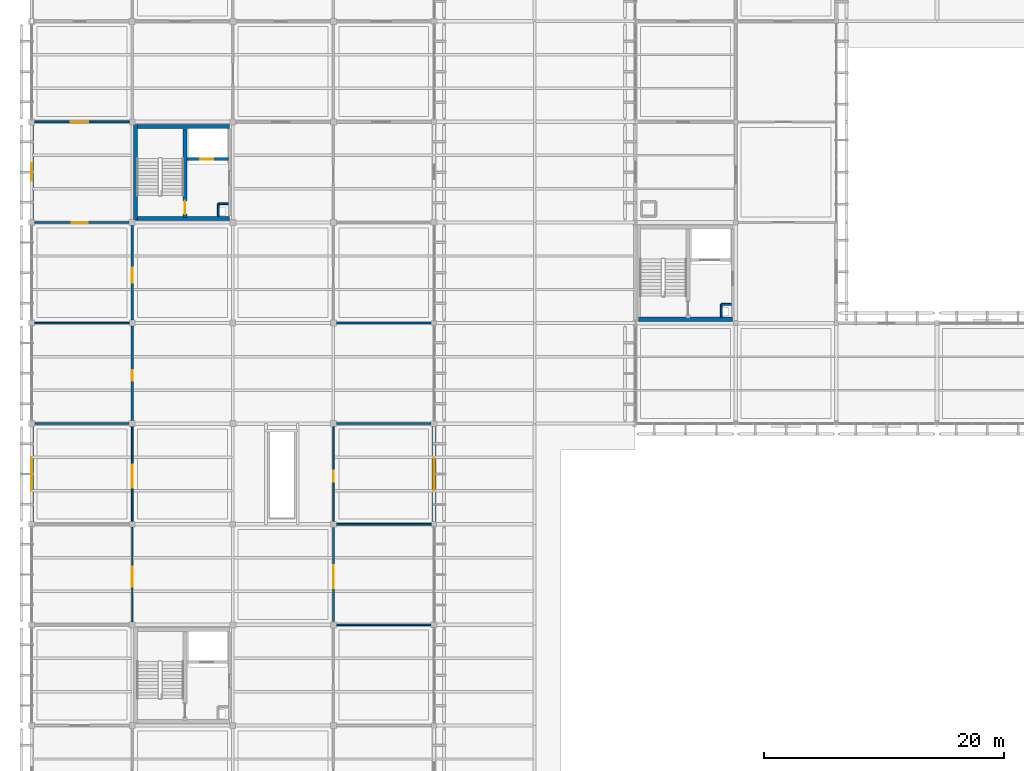
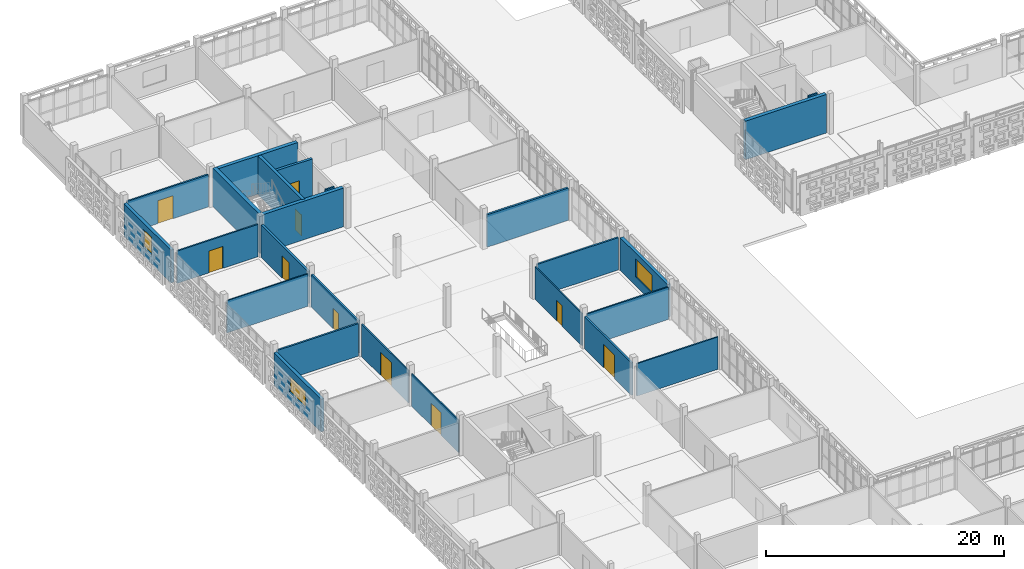
# One storey, part 99 of 166: 27 walls, 10 doors, 3 windows, 13 openings.
"""IFC4 building model written with IfcOpenShell, lengths in metres."""

from ifc_helpers import new_model, si_unit, direction, frame, frame_2d, origin, place, context, subcontext, project, spatial, rectangle, extrude, material, layer, layer_set, type_object, element, fill, save


model = new_model("IFC4")

# Units and contexts
model_context = context("Model", 3, precision=1e-05, world=origin(), true_north=direction((0.0, 1.0)))
body_context = subcontext(model_context, "Body", "Model", "MODEL_VIEW")
ifc_project = project(units=[si_unit("LENGTHUNIT", "METRE"), si_unit("AREAUNIT", "SQUARE_METRE"), si_unit("VOLUMEUNIT", "CUBIC_METRE"), si_unit("PLANEANGLEUNIT", "RADIAN"), si_unit("MASSUNIT", "GRAM", prefix="KILO")], contexts=[model_context])

# Site, building, storey
site_placement = place(None, origin())
site = spatial("IfcSite", under=ifc_project, at=site_placement, CompositionType="ELEMENT")
building_placement = place(site_placement, origin())
building = spatial("IfcBuilding", under=site, at=building_placement, Name="Varnapada Polytechnic", CompositionType="ELEMENT")
storey_placement = place(building_placement, frame((0.0, 0.0, 9.60009765625)))
storey = spatial("IfcBuildingStorey", under=building, at=storey_placement, Name="L02", CompositionType="ELEMENT", Elevation=9.60009765625)

# Walls
ifc_material_1 = material(Name="Autoclaved Aerated Concrete Block AAC-600", Category="concrete")
ifc_layer_1 = layer(ifc_material_1, 0.14990234375)
ifc_layer_set_1 = layer_set([ifc_layer_1], Name="Autoclaved Aerated Concrete Block AAC-600")
wall_type_1 = type_object("IfcWallType", Name="Interior Wall IW-02", PredefinedType="PARTITIONING", material=ifc_layer_set_1)
wall_1_placement = place(storey_placement, frame((15.580078125, 102.360107421875, 0.0), z_axis=(0.0, 0.0, 1.0), x_axis=(0.0, -1.0, 0.0)))
element("IfcWall", 1, at=wall_1_placement, inside=storey, type_object=wall_type_1, Name="L02 C1 riser shaft west wall", PredefinedType="PARTITIONING", context=body_context, shape_type="SweptSolid", body=[
    extrude(rectangle(XDim=1.06005859375, YDim=0.14990234375, at=frame_2d((0.530029296875, 0.0))), origin(), (0.0, 0.0, 1.0), 3.31982421875),
])
wall_2_placement = place(storey_placement, frame((15.580078125, 102.360107421875, 0.0), z_axis=(0.0, 0.0, 1.0), x_axis=(1.0, 0.0, 0.0)))
element("IfcWall", 2, at=wall_2_placement, inside=storey, type_object=wall_type_1, Name="L02 C1 riser shaft north wall", PredefinedType="PARTITIONING", context=body_context, shape_type="SweptSolid", body=[
    extrude(rectangle(XDim=0.85986328125, YDim=0.14990234375, at=frame_2d((0.429931640625, 0.0))), origin(), (0.0, 0.0, 1.0), 3.31982421875),
])
wall_3_placement = place(storey_placement, frame((57.580078125, 93.9599609375, 0.0), z_axis=(0.0, 0.0, 1.0), x_axis=(0.0, -1.0, 0.0)))
element("IfcWall", 3, at=wall_3_placement, inside=storey, type_object=wall_type_1, Name="L02 C4 riser shaft west wall", PredefinedType="PARTITIONING", context=body_context, shape_type="SweptSolid", body=[
    extrude(rectangle(XDim=1.06005859375, YDim=0.14990234375, at=frame_2d((0.530029296875, 0.0))), origin(), (0.0, 0.0, 1.0), 3.31982421875),
])
wall_4_placement = place(storey_placement, frame((57.580078125, 93.9599609375, 0.0), z_axis=(0.0, 0.0, 1.0), x_axis=(1.0, 0.0, 0.0)))
element("IfcWall", 4, at=wall_4_placement, inside=storey, type_object=wall_type_1, Name="L02 C4 riser shaft north wall", PredefinedType="PARTITIONING", context=body_context, shape_type="SweptSolid", body=[
    extrude(rectangle(XDim=0.85986328125, YDim=0.14990234375, at=frame_2d((0.429931640625, 0.0))), origin(), (0.0, 0.0, 1.0), 3.31982421875),
])
ifc_material_2 = material(Name="Moisture-Resistant Cement Board Partition")
ifc_layer_2 = layer(ifc_material_2, 0.139892578125)
ifc_layer_set_2 = layer_set([ifc_layer_2], Name="Moisture-Resistant Cement Board Partition")
wall_type_2 = type_object("IfcWallType", Name="Interior Wall IW-04", PredefinedType="PARTITIONING", material=ifc_layer_set_2)
wall_5_placement = place(storey_placement, frame((25.469970703125, 67.199951171875, 0.0), z_axis=(0.0, 0.0, 1.0), x_axis=(1.0, 0.0, 0.0)))
element("IfcWall", 5, at=wall_5_placement, inside=storey, type_object=wall_type_2, Name="L02 interior partition IW-L02-03-07-H", PredefinedType="PARTITIONING", context=body_context, shape_type="SweptSolid", body=[
    extrude(rectangle(XDim=7.880126953125, YDim=0.139892578125, at=frame_2d((3.93994140625, 0.0))), origin(), (0.0, 0.0, 1.0), 3.31982421875),
])

# Wall, opening, door
ifc_material_3 = material(Name="Acoustic Double-Stud Studio Partition")
ifc_layer_3 = layer(ifc_material_3, 0.179931640625)
ifc_layer_set_3 = layer_set([ifc_layer_3], Name="Acoustic Double-Stud Studio Partition")
wall_type_3 = type_object("IfcWallType", Name="Interior Wall IW-06", PredefinedType="PARTITIONING", material=ifc_layer_set_3)
wall_6_placement = place(storey_placement, frame((25.199951171875, 67.469970703125, 0.0), z_axis=(0.0, 0.0, 1.0), x_axis=(0.0, 1.0, 0.0)))
wall_6 = element("IfcWall", 6, at=wall_6_placement, inside=storey, type_object=wall_type_3, Name="L02 interior partition IW-L02-02-08-V", PredefinedType="PARTITIONING", context=body_context, shape_type="SweptSolid", body=[
    extrude(rectangle(XDim=7.8701171875, YDim=0.179931640625, at=frame_2d((3.93505859375, 0.0))), origin(), (0.0, 0.0, 1.0), 3.31982421875),
])
opening_1_placement = place(wall_6_placement, frame((2.800048828125, 0.0, 0.0)))
opening_1 = element("IfcOpeningElement", 7, at=opening_1_placement, cuts=wall_6, Name="Opening D-1117", PredefinedType="OPENING", context=body_context, shape_type="SweptSolid", body=[
    extrude(rectangle(XDim=1.89990234375, YDim=2.39990234375, at=frame_2d((0.949951171875, 1.199951171875))), frame((0.0, 0.099853515625, 0.0), z_axis=(0.0, -1.0, 0.0), x_axis=(1.0, 0.0, 0.0)), (0.0, 0.0, 1.0), 0.199951171875),
])
ifc_material_4 = material(Name="Heavy Workshop Double Steel Door", Category="steel")
door_type_1 = type_object("IfcDoorType", Name="Interior Door ID-14", OperationType="NOTDEFINED", PredefinedType="DOOR", material=ifc_material_4)
door_1_placement = place(opening_1_placement, origin())
door_1 = element("IfcDoor", 8, at=door_1_placement, inside=storey, type_object=door_type_1, Name="L02 interior room door D-1117", OperationType="SINGLE_SWING_RIGHT", OverallHeight=2.39990234375, OverallWidth=1.89990234375, PredefinedType="DOOR", context=body_context, shape_type="SweptSolid", body=[
    extrude(rectangle(XDim=1.89990234375, YDim=2.39990234375, at=frame_2d((0.949951171875, 1.199951171875))), frame((0.0, 0.02490234375, 0.0), z_axis=(0.0, -1.0, 0.0), x_axis=(1.0, 0.0, 0.0)), (0.0, 0.0, 1.0), 0.050048828125),
])
fill(opening_1, door_1)

ifc_material_5 = material(Name="Glazed Timber-Framed Studio Screen", Category="wood")
ifc_layer_4 = layer(ifc_material_5, 0.110107421875)
ifc_layer_set_4 = layer_set([ifc_layer_4], Name="Glazed Timber-Framed Studio Screen")
wall_type_4 = type_object("IfcWallType", Name="Interior Wall IW-07", PredefinedType="PARTITIONING", material=ifc_layer_set_4)
wall_7_placement = place(storey_placement, frame((8.39990234375, 67.469970703125, 0.0), z_axis=(0.0, 0.0, 1.0), x_axis=(0.0, 1.0, 0.0)))
wall_7 = element("IfcWall", 9, at=wall_7_placement, inside=storey, type_object=wall_type_4, Name="L02 interior partition IW-L02-00-08-V", PredefinedType="PARTITIONING", context=body_context, shape_type="SweptSolid", body=[
    extrude(rectangle(XDim=7.8701171875, YDim=0.110107421875, at=frame_2d((3.93505859375, 0.0))), origin(), (0.0, 0.0, 1.0), 3.31982421875),
])
opening_2_placement = place(wall_7_placement, frame((2.89990234375, 0.0, 0.0)))
opening_2 = element("IfcOpeningElement", 10, at=opening_2_placement, cuts=wall_7, Name="Opening D-1099", PredefinedType="OPENING", context=body_context, shape_type="SweptSolid", body=[
    extrude(rectangle(XDim=1.699951171875, YDim=2.300048828125, at=frame_2d((0.85009765625, 1.14990234375))), frame((0.0, 0.06494140625, 0.0), z_axis=(0.0, -1.0, 0.0), x_axis=(1.0, 0.0, 0.0)), (0.0, 0.0, 1.0), 0.130126953125),
])
ifc_material_6 = material(Name="Acoustic Double Timber Leaf", Category="wood")
door_type_2 = type_object("IfcDoorType", Name="Interior Door ID-13", OperationType="NOTDEFINED", PredefinedType="DOOR", material=ifc_material_6)
door_2_placement = place(opening_2_placement, origin())
door_2 = element("IfcDoor", 11, at=door_2_placement, inside=storey, type_object=door_type_2, Name="L02 interior room door D-1099", OperationType="SINGLE_SWING_RIGHT", OverallHeight=2.300048828125, OverallWidth=1.699951171875, PredefinedType="DOOR", context=body_context, shape_type="SweptSolid", body=[
    extrude(rectangle(XDim=1.699951171875, YDim=2.300048828125, at=frame_2d((0.85009765625, 1.14990234375))), frame((0.0, 0.02490234375, 0.0), z_axis=(0.0, -1.0, 0.0), x_axis=(1.0, 0.0, 0.0)), (0.0, 0.0, 1.0), 0.050048828125),
])
fill(opening_2, door_2)

wall_8_placement = place(storey_placement, frame((25.199951171875, 75.860107421875, 0.0), z_axis=(0.0, 0.0, 1.0), x_axis=(0.0, 1.0, 0.0)))
wall_8 = element("IfcWall", 12, at=wall_8_placement, inside=storey, type_object=wall_type_4, Name="L02 interior partition IW-L02-02-09-V", PredefinedType="PARTITIONING", context=body_context, shape_type="SweptSolid", body=[
    extrude(rectangle(XDim=7.869873046875, YDim=0.110107421875, at=frame_2d((3.93505859375, 0.0))), origin(), (0.0, 0.0, 1.0), 3.31982421875),
])
opening_3_placement = place(wall_8_placement, frame((3.300048828125, 0.0, 0.0)))
opening_3 = element("IfcOpeningElement", 13, at=opening_3_placement, cuts=wall_8, Name="Opening D-1118", PredefinedType="OPENING", context=body_context, shape_type="SweptSolid", body=[
    extrude(rectangle(XDim=0.89990234375, YDim=2.10009765625, at=frame_2d((0.449951171875, 1.050048828125))), frame((0.0, 0.06494140625, 0.0), z_axis=(0.0, -1.0, 0.0), x_axis=(1.0, 0.0, 0.0)), (0.0, 0.0, 1.0), 0.130126953125),
])
ifc_material_7 = material(Name="Moisture-Resistant HPL Timber", Category="wood")
door_type_3 = type_object("IfcDoorType", Name="Interior Door ID-15", OperationType="NOTDEFINED", PredefinedType="DOOR", material=ifc_material_7)
door_3_placement = place(opening_3_placement, frame((0.89990234375, 0.0, 0.0), z_axis=(0.0, 0.0, 1.0), x_axis=(-1.0, 0.0, 0.0)))
door_3 = element("IfcDoor", 14, at=door_3_placement, inside=storey, type_object=door_type_3, Name="L02 interior room door D-1118", OperationType="SINGLE_SWING_LEFT", OverallHeight=2.10009765625, OverallWidth=0.89990234375, PredefinedType="DOOR", context=body_context, shape_type="SweptSolid", body=[
    extrude(rectangle(XDim=0.89990234375, YDim=2.10009765625, at=frame_2d((0.449951171875, 1.050048828125))), frame((0.0, 0.02490234375, 0.0), z_axis=(0.0, -1.0, 0.0), x_axis=(1.0, 0.0, 0.0)), (0.0, 0.0, 1.0), 0.050048828125),
])
fill(opening_3, door_3)

ifc_material_8 = material(Name="Calcium Silicate Acoustic Lab Partition")
ifc_layer_5 = layer(ifc_material_8, 0.135009765625)
ifc_layer_set_5 = layer_set([ifc_layer_5], Name="Calcium Silicate Acoustic Lab Partition")
wall_type_5 = type_object("IfcWallType", Name="Interior Wall IW-09", PredefinedType="PARTITIONING", material=ifc_layer_set_5)
wall_9_placement = place(storey_placement, frame((8.39990234375, 75.860107421875, 0.0), z_axis=(0.0, 0.0, 1.0), x_axis=(0.0, 1.0, 0.0)))
wall_9 = element("IfcWall", 15, at=wall_9_placement, inside=storey, type_object=wall_type_5, Name="L02 interior partition IW-L02-00-09-V", PredefinedType="PARTITIONING", context=body_context, shape_type="SweptSolid", body=[
    extrude(rectangle(XDim=7.869873046875, YDim=0.135009765625, at=frame_2d((3.93505859375, 0.0))), origin(), (0.0, 0.0, 1.0), 3.31982421875),
])
opening_4_placement = place(wall_9_placement, frame((2.800048828125, 0.0, 0.0)))
opening_4 = element("IfcOpeningElement", 16, at=opening_4_placement, cuts=wall_9, Name="Opening D-1100", PredefinedType="OPENING", context=body_context, shape_type="SweptSolid", body=[
    extrude(rectangle(XDim=1.89990234375, YDim=2.39990234375, at=frame_2d((0.949951171875, 1.199951171875))), frame((0.0, 0.077392578125, 0.0), z_axis=(0.0, -1.0, 0.0), x_axis=(1.0, 0.0, 0.0)), (0.0, 0.0, 1.0), 0.155029296875),
])
door_4_placement = place(opening_4_placement, frame((1.89990234375, 0.0, 0.0), z_axis=(0.0, 0.0, 1.0), x_axis=(-1.0, 0.0, 0.0)))
door_4 = element("IfcDoor", 17, at=door_4_placement, inside=storey, type_object=door_type_1, Name="L02 interior room door D-1100", OperationType="SINGLE_SWING_LEFT", OverallHeight=2.39990234375, OverallWidth=1.89990234375, PredefinedType="DOOR", context=body_context, shape_type="SweptSolid", body=[
    extrude(rectangle(XDim=1.89990234375, YDim=2.39990234375, at=frame_2d((0.949951171875, 1.199951171875))), frame((0.0, 0.02490234375, 0.0), z_axis=(0.0, -1.0, 0.0), x_axis=(1.0, 0.0, 0.0)), (0.0, 0.0, 1.0), 0.050048828125),
])
fill(opening_4, door_4)

# Walls
wall_10_placement = place(storey_placement, frame((25.4599609375, 75.60009765625, 0.0), z_axis=(0.0, 0.0, 1.0), x_axis=(1.0, 0.0, 0.0)))
element("IfcWall", 18, at=wall_10_placement, inside=storey, type_object=wall_type_5, Name="L02 interior partition IW-L02-03-08-H", PredefinedType="PARTITIONING", context=body_context, shape_type="SweptSolid", body=[
    extrude(rectangle(XDim=7.900146484375, YDim=0.135009765625, at=frame_2d((3.9501953125, 0.0))), origin(), (0.0, 0.0, 1.0), 3.31982421875),
])
ifc_material_9 = material(Name="Double-Layer Fireboard Workshop Wall")
ifc_layer_6 = layer(ifc_material_9, 0.169921875)
ifc_layer_set_6 = layer_set([ifc_layer_6], Name="Double-Layer Fireboard Workshop Wall")
wall_type_6 = type_object("IfcWallType", Name="Interior Wall IW-10", PredefinedType="PARTITIONING", material=ifc_layer_set_6)
wall_11_placement = place(storey_placement, frame((0.27001953125, 84.0, 0.0), z_axis=(0.0, 0.0, 1.0), x_axis=(1.0, 0.0, 0.0)))
element("IfcWall", 19, at=wall_11_placement, inside=storey, type_object=wall_type_6, Name="L02 interior partition IW-L02-00-09-H", PredefinedType="PARTITIONING", context=body_context, shape_type="SweptSolid", body=[
    extrude(rectangle(XDim=7.85986328125, YDim=0.169921875, at=frame_2d((3.929931640625, 0.0))), origin(), (0.0, 0.0, 1.0), 3.31982421875),
])
wall_12_placement = place(storey_placement, frame((25.469970703125, 84.0, 0.0), z_axis=(0.0, 0.0, 1.0), x_axis=(1.0, 0.0, 0.0)))
element("IfcWall", 20, at=wall_12_placement, inside=storey, type_object=wall_type_6, Name="L02 interior partition IW-L02-03-09-H", PredefinedType="PARTITIONING", context=body_context, shape_type="SweptSolid", body=[
    extrude(rectangle(XDim=7.880126953125, YDim=0.169921875, at=frame_2d((3.93994140625, 0.0))), origin(), (0.0, 0.0, 1.0), 3.31982421875),
])

# Wall, opening, door
ifc_material_10 = material(Name="Insulated Masonry Plant Room Wall", Category="masonry")
ifc_layer_7 = layer(ifc_material_10, 0.18994140625)
ifc_layer_set_7 = layer_set([ifc_layer_7], Name="Insulated Masonry Plant Room Wall")
wall_type_7 = type_object("IfcWallType", Name="Interior Wall IW-11", PredefinedType="PARTITIONING", material=ifc_layer_set_7)
wall_13_placement = place(storey_placement, frame((8.39990234375, 84.27001953125, 0.0), z_axis=(0.0, 0.0, 1.0), x_axis=(0.0, 1.0, 0.0)))
wall_13 = element("IfcWall", 21, at=wall_13_placement, inside=storey, type_object=wall_type_7, Name="L02 interior partition IW-L02-00-10-V", PredefinedType="PARTITIONING", context=body_context, shape_type="SweptSolid", body=[
    extrude(rectangle(XDim=7.869873046875, YDim=0.18994140625, at=frame_2d((3.93505859375, 0.0))), origin(), (0.0, 0.0, 1.0), 3.31982421875),
])
opening_5_placement = place(wall_13_placement, frame((3.300048828125, 0.0, 0.0)))
opening_5 = element("IfcOpeningElement", 22, at=opening_5_placement, cuts=wall_13, Name="Opening D-1101", PredefinedType="OPENING", context=body_context, shape_type="SweptSolid", body=[
    extrude(rectangle(XDim=0.89990234375, YDim=2.10009765625, at=frame_2d((0.449951171875, 1.050048828125))), frame((0.0, 0.10498046875, 0.0), z_axis=(0.0, -1.0, 0.0), x_axis=(1.0, 0.0, 0.0)), (0.0, 0.0, 1.0), 0.2099609375),
])
door_5_placement = place(opening_5_placement, origin())
door_5 = element("IfcDoor", 23, at=door_5_placement, inside=storey, type_object=door_type_3, Name="L02 interior room door D-1101", OperationType="SINGLE_SWING_RIGHT", OverallHeight=2.10009765625, OverallWidth=0.89990234375, PredefinedType="DOOR", context=body_context, shape_type="SweptSolid", body=[
    extrude(rectangle(XDim=0.89990234375, YDim=2.10009765625, at=frame_2d((0.449951171875, 1.050048828125))), frame((0.0, 0.02490234375, 0.0), z_axis=(0.0, -1.0, 0.0), x_axis=(1.0, 0.0, 0.0)), (0.0, 0.0, 1.0), 0.050048828125),
])
fill(opening_5, door_5)

# Walls
wall_14_placement = place(storey_placement, frame((25.4599609375, 92.39990234375, 0.0), z_axis=(0.0, 0.0, 1.0), x_axis=(1.0, 0.0, 0.0)))
element("IfcWall", 24, at=wall_14_placement, inside=storey, type_object=wall_type_7, Name="L02 interior partition IW-L02-03-10-H", PredefinedType="PARTITIONING", context=body_context, shape_type="SweptSolid", body=[
    extrude(rectangle(XDim=7.900146484375, YDim=0.18994140625, at=frame_2d((3.9501953125, 0.0))), origin(), (0.0, 0.0, 1.0), 3.31982421875),
])
ifc_material_11 = material(Name="Timber-Stud Studio Critique Partition", Category="wood")
ifc_layer_8 = layer(ifc_material_11, 0.114990234375)
ifc_layer_set_8 = layer_set([ifc_layer_8], Name="Timber-Stud Studio Critique Partition")
wall_type_8 = type_object("IfcWallType", Name="Interior Wall IW-12", PredefinedType="PARTITIONING", material=ifc_layer_set_8)
wall_15_placement = place(storey_placement, frame((0.260009765625, 92.39990234375, 0.0), z_axis=(0.0, 0.0, 1.0), x_axis=(1.0, 0.0, 0.0)))
element("IfcWall", 25, at=wall_15_placement, inside=storey, type_object=wall_type_8, Name="L02 interior partition IW-L02-00-10-H", PredefinedType="PARTITIONING", context=body_context, shape_type="SweptSolid", body=[
    extrude(rectangle(XDim=7.8798828125, YDim=0.114990234375, at=frame_2d((3.93994140625, 0.0))), origin(), (0.0, 0.0, 1.0), 3.31982421875),
])

# Wall, opening, door
ifc_material_12 = material(Name="Heavy Acoustic Auditorium Baffle Wall")
ifc_layer_9 = layer(ifc_material_12, 0.219970703125)
ifc_layer_set_9 = layer_set([ifc_layer_9], Name="Heavy Acoustic Auditorium Baffle Wall")
wall_type_9 = type_object("IfcWallType", Name="Interior Wall IW-13", PredefinedType="PARTITIONING", material=ifc_layer_set_9)
wall_16_placement = place(storey_placement, frame((8.39990234375, 92.659912109375, 0.0), z_axis=(0.0, 0.0, 1.0), x_axis=(0.0, 1.0, 0.0)))
wall_16 = element("IfcWall", 26, at=wall_16_placement, inside=storey, type_object=wall_type_9, Name="L02 interior partition IW-L02-00-11-V", PredefinedType="PARTITIONING", context=body_context, shape_type="SweptSolid", body=[
    extrude(rectangle(XDim=7.8701171875, YDim=0.219970703125, at=frame_2d((3.93505859375, 0.0))), origin(), (0.0, 0.0, 1.0), 3.31982421875),
])
opening_6_placement = place(wall_16_placement, frame((3.125, 0.0, 0.0)))
opening_6 = element("IfcOpeningElement", 27, at=opening_6_placement, cuts=wall_16, Name="Opening D-1102", PredefinedType="OPENING", context=body_context, shape_type="SweptSolid", body=[
    extrude(rectangle(XDim=1.25, YDim=2.300048828125, at=frame_2d((0.625, 1.14990234375))), frame((0.0, 0.119873046875, 0.0), z_axis=(0.0, -1.0, 0.0), x_axis=(1.0, 0.0, 0.0)), (0.0, 0.0, 1.0), 0.239990234375),
])
ifc_material_13 = material(Name="Solid Teak Hardwood Timber", Category="wood")
door_type_4 = type_object("IfcDoorType", Name="Interior Door ID-16", OperationType="NOTDEFINED", PredefinedType="DOOR", material=ifc_material_13)
door_6_placement = place(opening_6_placement, origin())
door_6 = element("IfcDoor", 28, at=door_6_placement, inside=storey, type_object=door_type_4, Name="L02 interior room door D-1102", OperationType="SINGLE_SWING_LEFT", OverallHeight=2.300048828125, OverallWidth=1.25, PredefinedType="DOOR", context=body_context, shape_type="SweptSolid", body=[
    extrude(rectangle(XDim=1.25, YDim=2.300048828125, at=frame_2d((0.625, 1.14990234375))), frame((0.0, 0.02490234375, 0.0), z_axis=(0.0, -1.0, 0.0), x_axis=(1.0, 0.0, 0.0)), (0.0, 0.0, 1.0), 0.050048828125),
])
fill(opening_6, door_6)

ifc_material_14 = material(Name="Ceramic-Tiled Wet Laboratory Wall")
ifc_layer_10 = layer(ifc_material_14, 0.14501953125)
ifc_layer_set_10 = layer_set([ifc_layer_10], Name="Ceramic-Tiled Wet Laboratory Wall")
wall_type_10 = type_object("IfcWallType", Name="Interior Wall IW-14", PredefinedType="PARTITIONING", material=ifc_layer_set_10)
wall_17_placement = place(storey_placement, frame((0.27001953125, 100.800048828125, 0.0), z_axis=(0.0, 0.0, 1.0), x_axis=(1.0, 0.0, 0.0)))
wall_17 = element("IfcWall", 29, at=wall_17_placement, inside=storey, type_object=wall_type_10, Name="L02 interior partition IW-L02-00-11-H", PredefinedType="PARTITIONING", context=body_context, shape_type="SweptSolid", body=[
    extrude(rectangle(XDim=7.85986328125, YDim=0.14501953125, at=frame_2d((3.929931640625, 0.0))), origin(), (0.0, 0.0, 1.0), 3.31982421875),
])
opening_7_placement = place(wall_17_placement, frame((3.074951171875, 0.0, 0.0)))
opening_7 = element("IfcOpeningElement", 30, at=opening_7_placement, cuts=wall_17, Name="Opening D-1103", PredefinedType="OPENING", context=body_context, shape_type="SweptSolid", body=[
    extrude(rectangle(XDim=1.35009765625, YDim=2.25, at=frame_2d((0.675048828125, 1.125))), frame((0.0, 0.08251953125, 0.0), z_axis=(0.0, -1.0, 0.0), x_axis=(1.0, 0.0, 0.0)), (0.0, 0.0, 1.0), 0.1650390625),
])
ifc_material_15 = material(Name="Powder-Coated Aluminium 6063-T6", Category="aluminium")
door_type_5 = type_object("IfcDoorType", Name="Interior Door ID-17", OperationType="NOTDEFINED", PredefinedType="DOOR", material=ifc_material_15)
door_7_placement = place(opening_7_placement, frame((1.35009765625, 0.0, 0.0), z_axis=(0.0, 0.0, 1.0), x_axis=(-1.0, 0.0, 0.0)))
door_7 = element("IfcDoor", 31, at=door_7_placement, inside=storey, type_object=door_type_5, Name="L02 interior room door D-1103", OperationType="SINGLE_SWING_RIGHT", OverallHeight=2.25, OverallWidth=1.35009765625, PredefinedType="DOOR", context=body_context, shape_type="SweptSolid", body=[
    extrude(rectangle(XDim=1.35009765625, YDim=2.25, at=frame_2d((0.675048828125, 1.125))), frame((0.0, 0.02490234375, 0.0), z_axis=(0.0, -1.0, 0.0), x_axis=(1.0, 0.0, 0.0)), (0.0, 0.0, 1.0), 0.050048828125),
])
fill(opening_7, door_7)

ifc_material_16 = material(Name="Perforated Timber-Lined Seminar Wall", Category="wood")
ifc_layer_11 = layer(ifc_material_16, 0.155029296875)
ifc_layer_set_11 = layer_set([ifc_layer_11], Name="Perforated Timber-Lined Seminar Wall")
wall_type_11 = type_object("IfcWallType", Name="Interior Wall IW-15", PredefinedType="PARTITIONING", material=ifc_layer_set_11)
wall_18_placement = place(storey_placement, frame((0.260009765625, 109.199951171875, 0.0), z_axis=(0.0, 0.0, 1.0), x_axis=(1.0, 0.0, 0.0)))
wall_18 = element("IfcWall", 32, at=wall_18_placement, inside=storey, type_object=wall_type_11, Name="L02 interior partition IW-L02-00-12-H", PredefinedType="PARTITIONING", context=body_context, shape_type="SweptSolid", body=[
    extrude(rectangle(XDim=7.8798828125, YDim=0.155029296875, at=frame_2d((3.93994140625, 0.0))), origin(), (0.0, 0.0, 1.0), 3.31982421875),
])
opening_8_placement = place(wall_18_placement, frame((3.02490234375, 0.0, 0.0)))
opening_8 = element("IfcOpeningElement", 33, at=opening_8_placement, cuts=wall_18, Name="Opening D-1104", PredefinedType="OPENING", context=body_context, shape_type="SweptSolid", body=[
    extrude(rectangle(XDim=1.449951171875, YDim=2.35009765625, at=frame_2d((0.72509765625, 1.175048828125))), frame((0.0, 0.08740234375, 0.0), z_axis=(0.0, -1.0, 0.0), x_axis=(1.0, 0.0, 0.0)), (0.0, 0.0, 1.0), 0.175048828125),
])
ifc_material_17 = material(Name="Galvanized Steel Z275", Category="steel")
door_type_6 = type_object("IfcDoorType", Name="Interior Door ID-18", OperationType="NOTDEFINED", PredefinedType="DOOR", material=ifc_material_17)
door_8_placement = place(opening_8_placement, origin())
door_8 = element("IfcDoor", 34, at=door_8_placement, inside=storey, type_object=door_type_6, Name="L02 interior room door D-1104", OperationType="SINGLE_SWING_LEFT", OverallHeight=2.35009765625, OverallWidth=1.449951171875, PredefinedType="DOOR", context=body_context, shape_type="SweptSolid", body=[
    extrude(rectangle(XDim=1.449951171875, YDim=2.35009765625, at=frame_2d((0.72509765625, 1.175048828125))), frame((0.0, 0.02490234375, 0.0), z_axis=(0.0, -1.0, 0.0), x_axis=(1.0, 0.0, 0.0)), (0.0, 0.0, 1.0), 0.050048828125),
])
fill(opening_8, door_8)

# Walls
ifc_material_18 = material(Name="Concrete C40/50", Category="concrete")
ifc_layer_12 = layer(ifc_material_18, 0.35009765625)
ifc_layer_set_12 = layer_set([ifc_layer_12], Name="Concrete C40/50")
wall_type_12 = type_object("IfcWallType", Name="Interior Wall SW-01", PredefinedType="SHEAR", material=ifc_layer_set_12)
wall_19_placement = place(storey_placement, frame((8.6650390625, 101.050048828125, 0.0), z_axis=(0.0, 0.0, 1.0), x_axis=(0.0, 1.0, 0.0)))
element("IfcWall", 35, at=wall_19_placement, inside=storey, type_object=wall_type_12, Name="L02 C1 stair west shear wall", PredefinedType="SHEAR", context=body_context, shape_type="SweptSolid", body=[
    extrude(rectangle(XDim=7.93994140625, YDim=0.35009765625, at=frame_2d((3.969970703125, 0.0))), origin(), (0.0, 0.0, 1.0), 3.9599609375),
])
for number, where, z_axis, x_axis, name in (
    (36, (8.6650390625, 108.820068359375, 0.0), (0.0, 0.0, 1.0), (1.0, 0.0, 0.0), "L02 C1 core north shear wall"),
    (37, (16.5400390625, 101.1201171875, 0.0), (0.0, 0.0, 1.0), (-1.0, 0.0, 0.0), "L02 C1 core south shear wall"),
    (38, (58.5400390625, 92.719970703125, 0.0), (0.0, 0.0, 1.0), (-1.0, 0.0, 0.0), "L02 C4 core south shear wall"),
):
    element("IfcWall", number, at=place(storey_placement, frame(where, z_axis=z_axis, x_axis=x_axis)), inside=storey, type_object=wall_type_12, Name=name, PredefinedType="SHEAR", context=body_context, shape_type="SweptSolid", body=[
        extrude(rectangle(XDim=7.875, YDim=0.35009765625, at=frame_2d((3.9375, 0.0))), origin(), (0.0, 0.0, 1.0), 3.9599609375),
    ])

# Wall, opening, door
ifc_layer_13 = layer(ifc_material_18, 0.300048828125)
ifc_layer_set_13 = layer_set([ifc_layer_13], Name="Concrete C40/50")
wall_type_13 = type_object("IfcWallType", Name="Interior Wall SW-02", PredefinedType="SHEAR", material=ifc_layer_set_13)
wall_20_placement = place(storey_placement, frame((12.81005859375, 101.219970703125, 0.0), z_axis=(0.0, 0.0, 1.0), x_axis=(0.0, 1.0, 0.0)))
wall_20 = element("IfcWall", 39, at=wall_20_placement, inside=storey, type_object=wall_type_13, Name="L02 C1 stair-lobby dividing shear wall", PredefinedType="SHEAR", context=body_context, shape_type="SweptSolid", body=[
    extrude(rectangle(XDim=7.380126953125, YDim=0.300048828125, at=frame_2d((3.68994140625, 0.0))), origin(), (0.0, 0.0, 1.0), 3.9599609375),
])
opening_9_placement = place(wall_20_placement, frame((0.280029296875, 0.0, 0.0)))
opening_9 = element("IfcOpeningElement", 40, at=opening_9_placement, cuts=wall_20, Name="Opening D-1087", PredefinedType="OPENING", context=body_context, shape_type="SweptSolid", body=[
    extrude(rectangle(XDim=1.10009765625, YDim=2.14990234375, at=frame_2d((0.550048828125, 1.074951171875))), frame((0.0, 0.159912109375, 0.0), z_axis=(0.0, -1.0, 0.0), x_axis=(1.0, 0.0, 0.0)), (0.0, 0.0, 1.0), 0.320068359375),
])
door_type_7 = type_object("IfcDoorType", Name="Interior Door ID-01", OperationType="NOTDEFINED", PredefinedType="DOOR", material=ifc_material_17)
door_9_placement = place(opening_9_placement, origin())
door_9 = element("IfcDoor", 41, at=door_9_placement, inside=storey, type_object=door_type_7, Name="L02 C1 exit stair door D-1087", OperationType="SINGLE_SWING_RIGHT", OverallHeight=2.14990234375, OverallWidth=1.10009765625, PredefinedType="DOOR", context=body_context, shape_type="SweptSolid", body=[
    extrude(rectangle(XDim=1.10009765625, YDim=2.14990234375, at=frame_2d((0.550048828125, 1.074951171875))), frame((0.0, 0.02490234375, 0.0), z_axis=(0.0, -1.0, 0.0), x_axis=(1.0, 0.0, 0.0)), (0.0, 0.0, 1.0), 0.050048828125),
])
fill(opening_9, door_9)

ifc_layer_14 = layer(ifc_material_18, 0.25)
ifc_layer_set_14 = layer_set([ifc_layer_14], Name="Concrete C40/50")
wall_type_14 = type_object("IfcWallType", Name="Interior Wall SW-05", PredefinedType="SHEAR", material=ifc_layer_set_14)
wall_21_placement = place(storey_placement, frame((12.97998046875, 106.080078125, 0.0), z_axis=(0.0, 0.0, 1.0), x_axis=(1.0, 0.0, 0.0)))
wall_21 = element("IfcWall", 42, at=wall_21_placement, inside=storey, type_object=wall_type_14, Name="L02 C1 lift shaft front wall", PredefinedType="SHEAR", context=body_context, shape_type="SweptSolid", body=[
    extrude(rectangle(XDim=3.4599609375, YDim=0.25, at=frame_2d((1.72998046875, 0.0))), origin(), (0.0, 0.0, 1.0), 3.9599609375),
])
opening_10_placement = place(wall_21_placement, frame((1.10009765625, 0.0, 0.0)))
opening_10 = element("IfcOpeningElement", 43, at=opening_10_placement, cuts=wall_21, Name="Opening LD-020", PredefinedType="OPENING", context=body_context, shape_type="SweptSolid", body=[
    extrude(rectangle(XDim=1.10009765625, YDim=2.14990234375, at=frame_2d((0.550048828125, 1.074951171875))), frame((0.0, 0.135009765625, 0.0), z_axis=(0.0, -1.0, 0.0), x_axis=(1.0, 0.0, 0.0)), (0.0, 0.0, 1.0), 0.27001953125),
])
ifc_material_19 = material(Name="Brushed Stainless Steel 316", Category="steel")
door_type_8 = type_object("IfcDoorType", Name="Interior Door LD-01", OperationType="NOTDEFINED", PredefinedType="DOOR", material=ifc_material_19)
door_10_placement = place(opening_10_placement, origin())
door_10 = element("IfcDoor", 44, at=door_10_placement, inside=storey, type_object=door_type_8, Name="L02 LFT-01 sliding lift landing door LD-020", OperationType="DOUBLE_DOOR_SLIDING", OverallHeight=2.14990234375, OverallWidth=1.10009765625, PredefinedType="DOOR", context=body_context, shape_type="SweptSolid", body=[
    extrude(rectangle(XDim=1.10009765625, YDim=2.14990234375, at=frame_2d((0.550048828125, 1.074951171875))), frame((0.0, 0.02490234375, 0.0), z_axis=(0.0, -1.0, 0.0), x_axis=(1.0, 0.0, 0.0)), (0.0, 0.0, 1.0), 0.050048828125),
])
fill(opening_10, door_10)

# Wall, opening, window
ifc_material_20 = material(Name="Precast concrete C40/50", Category="concrete")
ifc_layer_15 = layer(ifc_material_20, 0.300048828125)
ifc_layer_set_15 = layer_set([ifc_layer_15], Name="Precast concrete C40/50")
wall_type_15 = type_object("IfcWallType", Name="Wall EW-01", PredefinedType="SOLIDWALL", material=ifc_layer_set_15)
wall_22_placement = place(storey_placement, frame((0.0, 75.840087890625, 0.0), z_axis=(0.0, 0.0, 1.0), x_axis=(0.0, 1.0, 0.0)))
wall_22 = element("IfcWall", 45, at=wall_22_placement, inside=storey, type_object=wall_type_15, Name="L02 exterior wall EW-01 (6)", PredefinedType="SOLIDWALL", context=body_context, shape_type="SweptSolid", body=[
    extrude(rectangle(XDim=7.909912109375, YDim=0.300048828125, at=frame_2d((3.955078125, 0.0))), origin(), (0.0, 0.0, 1.0), 3.35986328125),
])
opening_11_placement = place(wall_22_placement, frame((2.554931640625, 0.0, 0.89990234375)))
opening_11 = element("IfcOpeningElement", 46, at=opening_11_placement, cuts=wall_22, Name="Opening WN-13", PredefinedType="OPENING", context=body_context, shape_type="SweptSolid", body=[
    extrude(rectangle(XDim=2.800048828125, YDim=1.64990234375, at=frame_2d((1.39990234375, 0.824951171875))), frame((0.0, 0.159912109375, 0.0), z_axis=(0.0, -1.0, 0.0), x_axis=(1.0, 0.0, 0.0)), (0.0, 0.0, 1.0), 0.320068359375),
])
ifc_material_21 = material(Name="Double low-E laminated glass", Category="glass")
window_type_1 = type_object("IfcWindowType", Name="Window WN-13", PartitioningType="SINGLE_PANEL", PredefinedType="WINDOW", material=ifc_material_21)
window_1_placement = place(opening_11_placement, origin())
window_1 = element("IfcWindow", 47, at=window_1_placement, inside=storey, type_object=window_type_1, Name="L02 window WN-13 (105)", OverallHeight=1.64990234375, OverallWidth=2.800048828125, PartitioningType="SINGLE_PANEL", PredefinedType="WINDOW", context=body_context, shape_type="SweptSolid", body=[
    extrude(rectangle(XDim=2.800048828125, YDim=1.64990234375, at=frame_2d((1.39990234375, 0.824951171875))), frame((0.0, 0.030029296875, 0.0), z_axis=(0.0, -1.0, 0.0), x_axis=(1.0, 0.0, 0.0)), (0.0, 0.0, 1.0), 0.06005859375),
])
fill(opening_11, window_1)

wall_23_placement = place(storey_placement, frame((0.0, 101.050048828125, 0.0), z_axis=(0.0, 0.0, 1.0), x_axis=(0.0, 1.0, 0.0)))
wall_23 = element("IfcWall", 48, at=wall_23_placement, inside=storey, type_object=wall_type_15, Name="L02 exterior wall EW-01 (9)", PredefinedType="SOLIDWALL", context=body_context, shape_type="SweptSolid", body=[
    extrude(rectangle(XDim=7.909912109375, YDim=0.300048828125, at=frame_2d((3.955078125, 0.0))), origin(), (0.0, 0.0, 1.0), 3.35986328125),
])
opening_12_placement = place(wall_23_placement, frame((3.22998046875, 0.0, 0.89990234375)))
opening_12 = element("IfcOpeningElement", 49, at=opening_12_placement, cuts=wall_23, Name="Opening WN-22", PredefinedType="OPENING", context=body_context, shape_type="SweptSolid", body=[
    extrude(rectangle(XDim=1.449951171875, YDim=1.800048828125, at=frame_2d((0.72509765625, 0.89990234375))), frame((0.0, 0.159912109375, 0.0), z_axis=(0.0, -1.0, 0.0), x_axis=(1.0, 0.0, 0.0)), (0.0, 0.0, 1.0), 0.320068359375),
])
window_type_2 = type_object("IfcWindowType", Name="Window WN-22", PartitioningType="SINGLE_PANEL", PredefinedType="WINDOW", material=ifc_material_21)
window_2_placement = place(opening_12_placement, origin())
window_2 = element("IfcWindow", 50, at=window_2_placement, inside=storey, type_object=window_type_2, Name="L02 window WN-22 (106)", OverallHeight=1.800048828125, OverallWidth=1.449951171875, PartitioningType="SINGLE_PANEL", PredefinedType="WINDOW", context=body_context, shape_type="SweptSolid", body=[
    extrude(rectangle(XDim=1.449951171875, YDim=1.800048828125, at=frame_2d((0.72509765625, 0.89990234375))), frame((0.0, 0.030029296875, 0.0), z_axis=(0.0, -1.0, 0.0), x_axis=(1.0, 0.0, 0.0)), (0.0, 0.0, 1.0), 0.06005859375),
])
fill(opening_12, window_2)

wall_24_placement = place(storey_placement, frame((33.60009765625, 83.77001953125, 0.0), z_axis=(0.0, 0.0, 1.0), x_axis=(0.0, -1.0, 0.0)))
wall_24 = element("IfcWall", 51, at=wall_24_placement, inside=storey, type_object=wall_type_15, Name="L02 exterior wall EW-01 (27)", PredefinedType="SOLIDWALL", context=body_context, shape_type="SweptSolid", body=[
    extrude(rectangle(XDim=7.949951171875, YDim=0.300048828125, at=frame_2d((3.97509765625, 0.0))), origin(), (0.0, 0.0, 1.0), 3.35986328125),
])
opening_13_placement = place(wall_24_placement, frame((2.60009765625, 0.0, 0.89990234375)))
opening_13 = element("IfcOpeningElement", 52, at=opening_13_placement, cuts=wall_24, Name="Opening WN-28", PredefinedType="OPENING", context=body_context, shape_type="SweptSolid", body=[
    extrude(rectangle(XDim=2.75, YDim=1.85009765625, at=frame_2d((1.375, 0.925048828125))), frame((0.0, 0.159912109375, 0.0), z_axis=(0.0, -1.0, 0.0), x_axis=(1.0, 0.0, 0.0)), (0.0, 0.0, 1.0), 0.320068359375),
])
window_type_3 = type_object("IfcWindowType", Name="Window WN-28", PartitioningType="SINGLE_PANEL", PredefinedType="WINDOW", material=ifc_material_21)
window_3_placement = place(opening_13_placement, origin())
window_3 = element("IfcWindow", 53, at=window_3_placement, inside=storey, type_object=window_type_3, Name="L02 window WN-28 (111)", OverallHeight=1.85009765625, OverallWidth=2.75, PartitioningType="SINGLE_PANEL", PredefinedType="WINDOW", context=body_context, shape_type="SweptSolid", body=[
    extrude(rectangle(XDim=2.75, YDim=1.85009765625, at=frame_2d((1.375, 0.925048828125))), frame((0.0, 0.030029296875, 0.0), z_axis=(0.0, -1.0, 0.0), x_axis=(1.0, 0.0, 0.0)), (0.0, 0.0, 1.0), 0.06005859375),
])
fill(opening_13, window_3)

save(model, "model.ifc")
